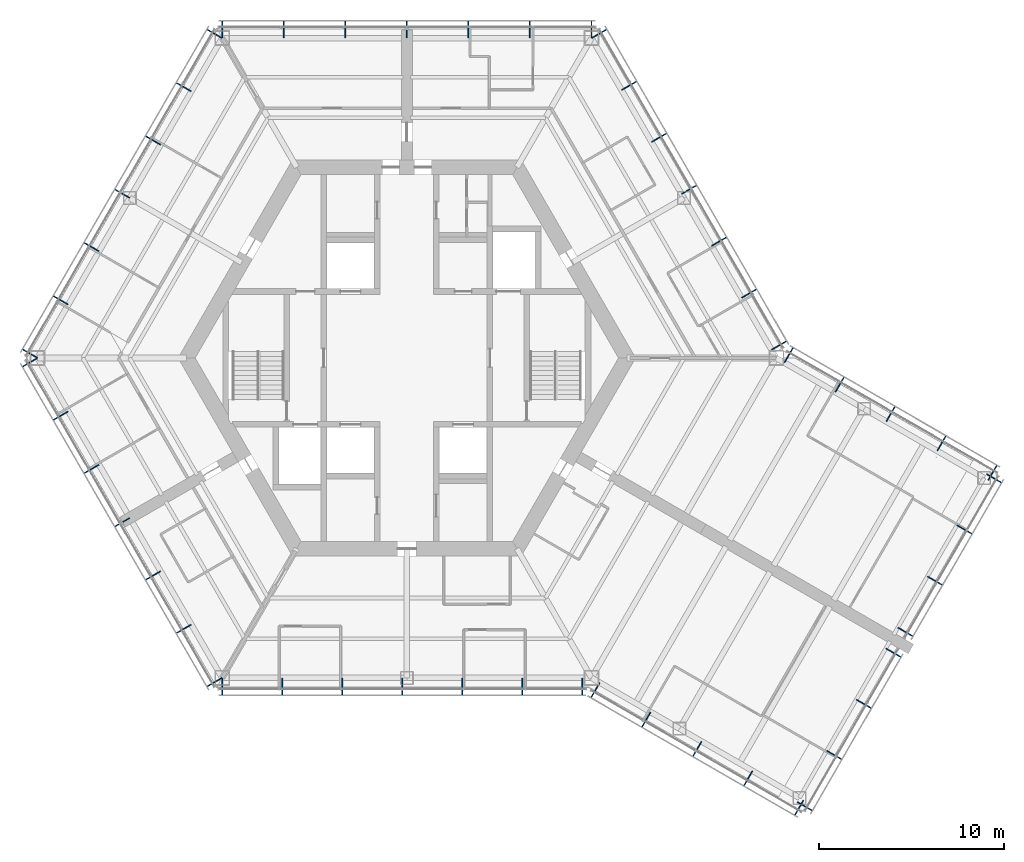
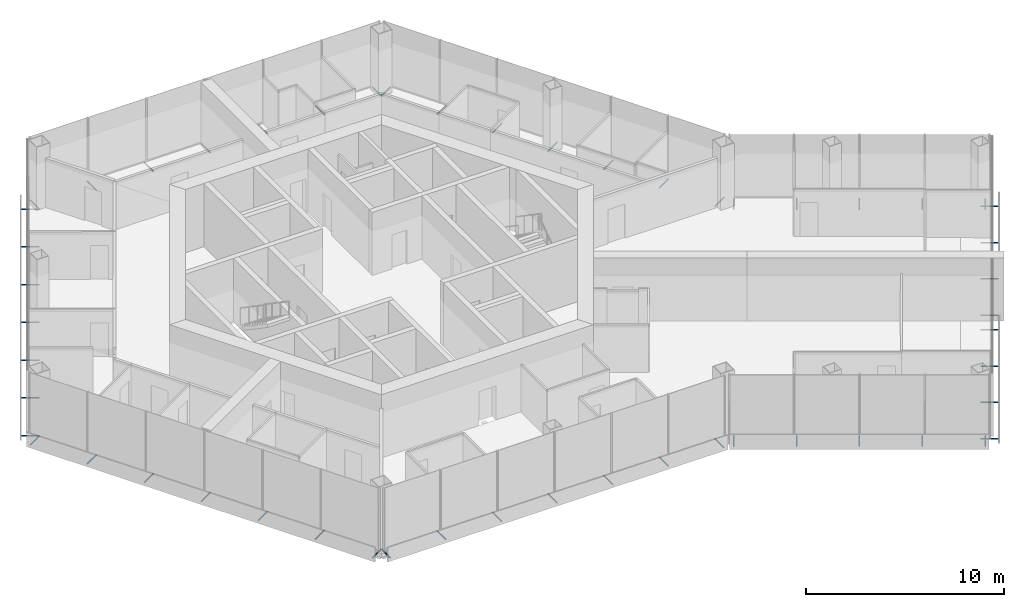
# One storey, part 15 of 17: 53 discrete accessories.
"""IFC4 building model written with IfcOpenShell, lengths in metres."""

from ifc_helpers import new_model, si_unit, direction, frame, origin, origin_2d, place, context, subcontext, project, spatial, hollow_circle, extrude, material, material_profile, profile_set, type_object, element, save


model = new_model("IFC4")

# Units and contexts
model_context = context("Model", 3, precision=1e-05, world=origin(), true_north=direction((0.0, 1.0)))
body_context = subcontext(model_context, "Body", "Model", "MODEL_VIEW")
ifc_project = project(units=[si_unit("LENGTHUNIT", "METRE"), si_unit("AREAUNIT", "SQUARE_METRE"), si_unit("VOLUMEUNIT", "CUBIC_METRE"), si_unit("PLANEANGLEUNIT", "RADIAN"), si_unit("MASSUNIT", "GRAM", prefix="KILO")], contexts=[model_context])

# Site, building, storey
site_placement = place(None, origin())
site = spatial("IfcSite", under=ifc_project, at=site_placement, CompositionType="ELEMENT")
building_placement = place(site_placement, origin())
building = spatial("IfcBuilding", under=site, at=building_placement, Name="Kasaneha Research Tower", CompositionType="ELEMENT")
storey_placement = place(building_placement, frame((0.0, 0.0, 224.5)))
storey = spatial("IfcBuildingStorey", under=building, at=storey_placement, Name="L56", CompositionType="ELEMENT", Elevation=224.5)

# Discrete accessories
ifc_material = material(Name="Steel STK400", Category="steel")
ifc_material_profile = material_profile(ifc_material, hollow_circle(Radius=0.0380859375, WallThickness=0.00390625, at=origin_2d()), Name="CHS-76.3x4.0")
ifc_profile_set = profile_set([ifc_material_profile], Name="Steel STK400")
discrete_accessory_type = type_object("IfcDiscreteAccessoryType", Name="Screen bracket CHS-76.3x4.0", PredefinedType="BRACKET", material=ifc_profile_set)
for number, where, z_axis, x_axis, name in (
    (1, (19.74462890625, 0.4423828125, -0.300048828125), (0.866013213425, 0.500021113727, 0.0), (-0.500021113727, 0.866013213425, 0.0), "Screen bracket 1"),
    (2, (18.120849609375, 3.2548828125, -0.300048828125), (0.866013213425, 0.500021113727, 0.0), (-0.500021113727, 0.866013213425, 0.0), "Screen bracket 2"),
    (3, (16.4970703125, 6.0673828125, -0.300048828125), (0.866013213425, 0.500021113727, 0.0), (-0.500021113727, 0.866013213425, 0.0), "Screen bracket 3"),
    (4, (14.873291015625, 8.8798828125, -0.300048828125), (0.866013213425, 0.500021113727, 0.0), (-0.500021113727, 0.866013213425, 0.0), "Screen bracket 4"),
    (5, (13.24951171875, 11.6923828125, -0.300048828125), (0.866013213425, 0.500021113727, 0.0), (-0.500021113727, 0.866013213425, 0.0), "Screen bracket 5"),
):
    element("IfcDiscreteAccessory", number, at=place(storey_placement, frame(where, z_axis=z_axis, x_axis=x_axis)), inside=storey, type_object=discrete_accessory_type, Name=name, PredefinedType="BRACKET", context=body_context, shape_type="SweptSolid", body=[
        extrude(hollow_circle(Radius=0.0380859375, WallThickness=0.00390625, at=origin_2d()), origin(), (0.0, 0.0, 1.0), 0.919921875),
    ])
for number, where, z_axis, x_axis, name in (
    (6, (11.62548828125, 14.5048828125, -0.300048828125), (0.866079547155, 0.499906209203, 0.0), (-0.499906209203, 0.866079547155, 0.0), "Screen bracket 6"),
    (7, (10.001708984375, 17.3173828125, -0.300048828125), (0.866079547155, 0.499906209203, 0.0), (-0.499906209203, 0.866079547155, 0.0), "Screen bracket 7"),
):
    element("IfcDiscreteAccessory", number, at=place(storey_placement, frame(where, z_axis=z_axis, x_axis=x_axis)), inside=storey, type_object=discrete_accessory_type, Name=name, PredefinedType="BRACKET", context=body_context, shape_type="SweptSolid", body=[
        extrude(hollow_circle(Radius=0.0380859375, WallThickness=0.00390625, at=origin_2d()), origin(), (0.0, 0.0, 1.0), 0.920166015625),
    ])
for number, where, z_axis, x_axis, name in (
    (8, (9.996337890625, 17.320556640625, -0.300048828125), (0.0, 1.0, 0.0), (-1.0, 0.0, 0.0), "Screen bracket 1"),
    (9, (6.664306640625, 17.320556640625, -0.300048828125), (0.0, 1.0, 0.0), (-1.0, 0.0, 0.0), "Screen bracket 2"),
    (10, (3.33203125, 17.320556640625, -0.300048828125), (0.0, 1.0, 0.0), (-1.0, 0.0, 0.0), "Screen bracket 3"),
    (11, (0.0, 17.320556640625, -0.300048828125), (0.0, 1.0, 0.0), (-1.0, 0.0, 0.0), "Screen bracket 4"),
    (12, (-3.33203125, 17.320556640625, -0.300048828125), (0.0, 1.0, 0.0), (-1.0, 0.0, 0.0), "Screen bracket 5"),
    (13, (-6.664306640625, 17.320556640625, -0.300048828125), (0.0, 1.0, 0.0), (-1.0, 0.0, 0.0), "Screen bracket 6"),
    (14, (-9.996337890625, 17.320556640625, -0.300048828125), (0.0, 1.0, 0.0), (-1.0, 0.0, 0.0), "Screen bracket 7"),
):
    element("IfcDiscreteAccessory", number, at=place(storey_placement, frame(where, z_axis=z_axis, x_axis=x_axis)), inside=storey, type_object=discrete_accessory_type, Name=name, PredefinedType="BRACKET", context=body_context, shape_type="SweptSolid", body=[
        extrude(hollow_circle(Radius=0.0380859375, WallThickness=0.00390625, at=origin_2d()), origin(), (0.0, 0.0, 1.0), 0.919921875),
    ])
discrete_accessory_1_placement = place(storey_placement, frame((-10.001708984375, 17.3173828125, -0.300048828125), z_axis=(-0.866079547155, 0.499906209203, 0.0), x_axis=(-0.499906209203, -0.866079547155, 0.0)))
element("IfcDiscreteAccessory", 15, at=discrete_accessory_1_placement, inside=storey, type_object=discrete_accessory_type, Name="Screen bracket 1", PredefinedType="BRACKET", context=body_context, shape_type="SweptSolid", body=[
    extrude(hollow_circle(Radius=0.0380859375, WallThickness=0.00390625, at=origin_2d()), origin(), (0.0, 0.0, 1.0), 0.920166015625),
])
for number, where, z_axis, x_axis, name in (
    (16, (-11.66796875, 14.431640625, -0.300048828125), (-0.866013213425, 0.500021113727, 0.0), (-0.500021113727, -0.866013213425, 0.0), "Screen bracket 2"),
    (17, (-13.333984375, 11.5458984375, -0.300048828125), (-0.866013213425, 0.500021113727, 0.0), (-0.500021113727, -0.866013213425, 0.0), "Screen bracket 3"),
    (18, (-15.0, 8.66015625, -0.300048828125), (-0.865898279276, 0.500220121494, 0.0), (-0.500220121494, -0.865898279276, 0.0), "Screen bracket 4"),
):
    element("IfcDiscreteAccessory", number, at=place(storey_placement, frame(where, z_axis=z_axis, x_axis=x_axis)), inside=storey, type_object=discrete_accessory_type, Name=name, PredefinedType="BRACKET", context=body_context, shape_type="SweptSolid", body=[
        extrude(hollow_circle(Radius=0.0380859375, WallThickness=0.00390625, at=origin_2d()), origin(), (0.0, 0.0, 1.0), 0.919921875),
    ])
for number, where, z_axis, x_axis, name in (
    (19, (-16.666015625, 5.774658203125, -0.300048828125), (-0.866079547155, 0.499906209203, 0.0), (-0.499906209203, -0.866079547155, 0.0), "Screen bracket 5"),
    (20, (-18.33203125, 2.888916015625, -0.300048828125), (-0.866079547155, 0.499906209203, 0.0), (-0.499906209203, -0.866079547155, 0.0), "Screen bracket 6"),
):
    element("IfcDiscreteAccessory", number, at=place(storey_placement, frame(where, z_axis=z_axis, x_axis=x_axis)), inside=storey, type_object=discrete_accessory_type, Name=name, PredefinedType="BRACKET", context=body_context, shape_type="SweptSolid", body=[
        extrude(hollow_circle(Radius=0.0380859375, WallThickness=0.00390625, at=origin_2d()), origin(), (0.0, 0.0, 1.0), 0.920166015625),
    ])
for number, where, z_axis, x_axis, name in (
    (21, (-19.998291015625, 0.003173828125, -0.300048828125), (-0.866013213425, 0.500021113727, 0.0), (-0.500021113727, -0.866013213425, 0.0), "Screen bracket 7"),
    (22, (-19.998291015625, -0.003173828125, -0.300048828125), (-0.866013213425, -0.500021113727, 0.0), (0.500021113727, -0.866013213425, 0.0), "Screen bracket 1"),
):
    element("IfcDiscreteAccessory", number, at=place(storey_placement, frame(where, z_axis=z_axis, x_axis=x_axis)), inside=storey, type_object=discrete_accessory_type, Name=name, PredefinedType="BRACKET", context=body_context, shape_type="SweptSolid", body=[
        extrude(hollow_circle(Radius=0.0380859375, WallThickness=0.00390625, at=origin_2d()), origin(), (0.0, 0.0, 1.0), 0.919921875),
    ])
for number, where, z_axis, x_axis, name in (
    (23, (-18.33203125, -2.888916015625, -0.300048828125), (-0.866079547155, -0.499906209203, 0.0), (0.499906209203, -0.866079547155, 0.0), "Screen bracket 2"),
    (24, (-16.666015625, -5.774658203125, -0.300048828125), (-0.866079547155, -0.499906209203, 0.0), (0.499906209203, -0.866079547155, 0.0), "Screen bracket 3"),
):
    element("IfcDiscreteAccessory", number, at=place(storey_placement, frame(where, z_axis=z_axis, x_axis=x_axis)), inside=storey, type_object=discrete_accessory_type, Name=name, PredefinedType="BRACKET", context=body_context, shape_type="SweptSolid", body=[
        extrude(hollow_circle(Radius=0.0380859375, WallThickness=0.00390625, at=origin_2d()), origin(), (0.0, 0.0, 1.0), 0.920166015625),
    ])
for number, where, z_axis, x_axis, name in (
    (25, (-15.0, -8.66015625, -0.300048828125), (-0.865898279276, -0.500220121494, 0.0), (0.500220121494, -0.865898279276, 0.0), "Screen bracket 4"),
    (26, (-13.333984375, -11.5458984375, -0.300048828125), (-0.866013213425, -0.500021113727, 0.0), (0.500021113727, -0.866013213425, 0.0), "Screen bracket 5"),
    (27, (-11.66796875, -14.431640625, -0.300048828125), (-0.866013213425, -0.500021113727, 0.0), (0.500021113727, -0.866013213425, 0.0), "Screen bracket 6"),
):
    element("IfcDiscreteAccessory", number, at=place(storey_placement, frame(where, z_axis=z_axis, x_axis=x_axis)), inside=storey, type_object=discrete_accessory_type, Name=name, PredefinedType="BRACKET", context=body_context, shape_type="SweptSolid", body=[
        extrude(hollow_circle(Radius=0.0380859375, WallThickness=0.00390625, at=origin_2d()), origin(), (0.0, 0.0, 1.0), 0.919921875),
    ])
discrete_accessory_2_placement = place(storey_placement, frame((-10.001708984375, -17.3173828125, -0.300048828125), z_axis=(-0.866079547155, -0.499906209203, 0.0), x_axis=(0.499906209203, -0.866079547155, 0.0)))
element("IfcDiscreteAccessory", 28, at=discrete_accessory_2_placement, inside=storey, type_object=discrete_accessory_type, Name="Screen bracket 7", PredefinedType="BRACKET", context=body_context, shape_type="SweptSolid", body=[
    extrude(hollow_circle(Radius=0.0380859375, WallThickness=0.00390625, at=origin_2d()), origin(), (0.0, 0.0, 1.0), 0.920166015625),
])
for number, where, z_axis, x_axis, name in (
    (29, (-9.996337890625, -17.320556640625, -0.300048828125), (0.0, -1.0, 0.0), (1.0, 0.0, 0.0), "Screen bracket 1"),
    (30, (-6.748779296875, -17.320556640625, -0.300048828125), (0.0, -1.0, 0.0), (1.0, 0.0, 0.0), "Screen bracket 2"),
    (31, (-3.501220703125, -17.320556640625, -0.300048828125), (0.0, -1.0, 0.0), (1.0, 0.0, 0.0), "Screen bracket 3"),
    (32, (-0.253662109375, -17.320556640625, -0.300048828125), (0.0, -1.0, 0.0), (1.0, 0.0, 0.0), "Screen bracket 4"),
    (33, (2.993896484375, -17.320556640625, -0.300048828125), (0.0, -1.0, 0.0), (1.0, 0.0, 0.0), "Screen bracket 5"),
    (34, (6.24169921875, -17.320556640625, -0.300048828125), (0.0, -1.0, 0.0), (1.0, 0.0, 0.0), "Screen bracket 6"),
    (35, (9.4892578125, -17.320556640625, -0.300048828125), (0.0, -1.0, 0.0), (1.0, 0.0, 0.0), "Screen bracket 7"),
    (36, (10.4423828125, -17.575927734375, -0.300048828125), (-0.500021113727, -0.866013213425, 0.0), (0.866013213425, -0.500021113727, 0.0), "Screen bracket 1"),
):
    element("IfcDiscreteAccessory", number, at=place(storey_placement, frame(where, z_axis=z_axis, x_axis=x_axis)), inside=storey, type_object=discrete_accessory_type, Name=name, PredefinedType="BRACKET", context=body_context, shape_type="SweptSolid", body=[
        extrude(hollow_circle(Radius=0.0380859375, WallThickness=0.00390625, at=origin_2d()), origin(), (0.0, 0.0, 1.0), 0.919921875),
    ])
discrete_accessory_3_placement = place(storey_placement, frame((13.200439453125, -19.168212890625, -0.300048828125), z_axis=(-0.499906209203, -0.866079547155, 0.0), x_axis=(0.866079547155, -0.499906209203, 0.0)))
element("IfcDiscreteAccessory", 37, at=discrete_accessory_3_placement, inside=storey, type_object=discrete_accessory_type, Name="Screen bracket 2", PredefinedType="BRACKET", context=body_context, shape_type="SweptSolid", body=[
    extrude(hollow_circle(Radius=0.0380859375, WallThickness=0.00390625, at=origin_2d()), origin(), (0.0, 0.0, 1.0), 0.920166015625),
])
discrete_accessory_4_placement = place(storey_placement, frame((15.95849609375, -20.7607421875, -0.300048828125), z_axis=(-0.500021113727, -0.866013213425, 0.0), x_axis=(0.866013213425, -0.500021113727, 0.0)))
element("IfcDiscreteAccessory", 38, at=discrete_accessory_4_placement, inside=storey, type_object=discrete_accessory_type, Name="Screen bracket 3", PredefinedType="BRACKET", context=body_context, shape_type="SweptSolid", body=[
    extrude(hollow_circle(Radius=0.0380859375, WallThickness=0.00390625, at=origin_2d()), origin(), (0.0, 0.0, 1.0), 0.919921875),
])
discrete_accessory_5_placement = place(storey_placement, frame((18.716796875, -22.35302734375, -0.300048828125), z_axis=(-0.500105201737, -0.865964657013, 0.0), x_axis=(0.865964657013, -0.500105201737, 0.0)))
element("IfcDiscreteAccessory", 39, at=discrete_accessory_5_placement, inside=storey, type_object=discrete_accessory_type, Name="Screen bracket 4", PredefinedType="BRACKET", context=body_context, shape_type="SweptSolid", body=[
    extrude(hollow_circle(Radius=0.0380859375, WallThickness=0.00390625, at=origin_2d()), origin(), (0.0, 0.0, 1.0), 0.920166015625),
])
discrete_accessory_6_placement = place(storey_placement, frame((21.474853515625, -23.945556640625, -0.300048828125), z_axis=(-0.500021113727, -0.866013213425, 0.0), x_axis=(0.866013213425, -0.500021113727, 0.0)))
element("IfcDiscreteAccessory", 40, at=discrete_accessory_6_placement, inside=storey, type_object=discrete_accessory_type, Name="Screen bracket 5", PredefinedType="BRACKET", context=body_context, shape_type="SweptSolid", body=[
    extrude(hollow_circle(Radius=0.0380859375, WallThickness=0.00390625, at=origin_2d()), origin(), (0.0, 0.0, 1.0), 0.919921875),
])
discrete_accessory_7_placement = place(storey_placement, frame((21.13330078125, -24.037109375, -0.300048828125), z_axis=(0.866079547155, -0.499906209203, 0.0), x_axis=(0.499906209203, 0.866079547155, 0.0)))
element("IfcDiscreteAccessory", 41, at=discrete_accessory_7_placement, inside=storey, type_object=discrete_accessory_type, Name="Screen bracket 1", PredefinedType="BRACKET", context=body_context, shape_type="SweptSolid", body=[
    extrude(hollow_circle(Radius=0.0380859375, WallThickness=0.00390625, at=origin_2d()), origin(), (0.0, 0.0, 1.0), 0.920166015625),
])
discrete_accessory_8_placement = place(storey_placement, frame((22.7333984375, -21.265625, -0.300048828125), z_axis=(0.865898279276, -0.500220121494, 0.0), x_axis=(0.500220121494, 0.865898279276, 0.0)))
element("IfcDiscreteAccessory", 42, at=discrete_accessory_8_placement, inside=storey, type_object=discrete_accessory_type, Name="Screen bracket 2", PredefinedType="BRACKET", context=body_context, shape_type="SweptSolid", body=[
    extrude(hollow_circle(Radius=0.0380859375, WallThickness=0.00390625, at=origin_2d()), origin(), (0.0, 0.0, 1.0), 0.919921875),
])
discrete_accessory_9_placement = place(storey_placement, frame((24.333251953125, -18.494384765625, -0.300048828125), z_axis=(0.866079547155, -0.499906209203, 0.0), x_axis=(0.499906209203, 0.866079547155, 0.0)))
element("IfcDiscreteAccessory", 43, at=discrete_accessory_9_placement, inside=storey, type_object=discrete_accessory_type, Name="Screen bracket 3", PredefinedType="BRACKET", context=body_context, shape_type="SweptSolid", body=[
    extrude(hollow_circle(Radius=0.0380859375, WallThickness=0.00390625, at=origin_2d()), origin(), (0.0, 0.0, 1.0), 0.920166015625),
])
discrete_accessory_10_placement = place(storey_placement, frame((25.933349609375, -15.72314453125, -0.300048828125), z_axis=(0.866013213425, -0.500021113727, 0.0), x_axis=(0.500021113727, 0.866013213425, 0.0)))
element("IfcDiscreteAccessory", 44, at=discrete_accessory_10_placement, inside=storey, type_object=discrete_accessory_type, Name="Screen bracket 4", PredefinedType="BRACKET", context=body_context, shape_type="SweptSolid", body=[
    extrude(hollow_circle(Radius=0.0380859375, WallThickness=0.00390625, at=origin_2d()), origin(), (0.0, 0.0, 1.0), 0.919921875),
])
discrete_accessory_11_placement = place(storey_placement, frame((26.583251953125, -14.597412109375, -0.300048828125), z_axis=(0.866079547155, -0.499906209203, 0.0), x_axis=(0.499906209203, 0.866079547155, 0.0)))
element("IfcDiscreteAccessory", 45, at=discrete_accessory_11_placement, inside=storey, type_object=discrete_accessory_type, Name="Screen bracket 1", PredefinedType="BRACKET", context=body_context, shape_type="SweptSolid", body=[
    extrude(hollow_circle(Radius=0.0380859375, WallThickness=0.00390625, at=origin_2d()), origin(), (0.0, 0.0, 1.0), 0.920166015625),
])
for number, where, z_axis, x_axis, name in (
    (46, (28.183349609375, -11.826171875, -0.300048828125), (0.866013213425, -0.500021113727, 0.0), (0.500021113727, 0.866013213425, 0.0), "Screen bracket 2"),
    (47, (29.783447265625, -9.0546875, -0.300048828125), (0.865898279276, -0.500220121494, 0.0), (0.500220121494, 0.865898279276, 0.0), "Screen bracket 3"),
):
    element("IfcDiscreteAccessory", number, at=place(storey_placement, frame(where, z_axis=z_axis, x_axis=x_axis)), inside=storey, type_object=discrete_accessory_type, Name=name, PredefinedType="BRACKET", context=body_context, shape_type="SweptSolid", body=[
        extrude(hollow_circle(Radius=0.0380859375, WallThickness=0.00390625, at=origin_2d()), origin(), (0.0, 0.0, 1.0), 0.919921875),
    ])
discrete_accessory_12_placement = place(storey_placement, frame((31.38330078125, -6.283447265625, -0.300048828125), z_axis=(0.866079547155, -0.499906209203, 0.0), x_axis=(0.499906209203, 0.866079547155, 0.0)))
element("IfcDiscreteAccessory", 48, at=discrete_accessory_12_placement, inside=storey, type_object=discrete_accessory_type, Name="Screen bracket 4", PredefinedType="BRACKET", context=body_context, shape_type="SweptSolid", body=[
    extrude(hollow_circle(Radius=0.0380859375, WallThickness=0.00390625, at=origin_2d()), origin(), (0.0, 0.0, 1.0), 0.920166015625),
])
discrete_accessory_13_placement = place(storey_placement, frame((31.474853515625, -6.625, -0.300048828125), z_axis=(0.500021113727, 0.866013213425, 0.0), x_axis=(-0.866013213425, 0.500021113727, 0.0)))
element("IfcDiscreteAccessory", 49, at=discrete_accessory_13_placement, inside=storey, type_object=discrete_accessory_type, Name="Screen bracket 1", PredefinedType="BRACKET", context=body_context, shape_type="SweptSolid", body=[
    extrude(hollow_circle(Radius=0.0380859375, WallThickness=0.00390625, at=origin_2d()), origin(), (0.0, 0.0, 1.0), 0.919921875),
])
discrete_accessory_14_placement = place(storey_placement, frame((28.716796875, -5.03271484375, -0.300048828125), z_axis=(0.499906209203, 0.866079547155, 0.0), x_axis=(-0.866079547155, 0.499906209203, 0.0)))
element("IfcDiscreteAccessory", 50, at=discrete_accessory_14_placement, inside=storey, type_object=discrete_accessory_type, Name="Screen bracket 2", PredefinedType="BRACKET", context=body_context, shape_type="SweptSolid", body=[
    extrude(hollow_circle(Radius=0.0380859375, WallThickness=0.00390625, at=origin_2d()), origin(), (0.0, 0.0, 1.0), 0.920166015625),
])
discrete_accessory_15_placement = place(storey_placement, frame((25.95849609375, -3.440185546875, -0.300048828125), z_axis=(0.500220121494, 0.865898279276, 0.0), x_axis=(-0.865898279276, 0.500220121494, 0.0)))
element("IfcDiscreteAccessory", 51, at=discrete_accessory_15_placement, inside=storey, type_object=discrete_accessory_type, Name="Screen bracket 3", PredefinedType="BRACKET", context=body_context, shape_type="SweptSolid", body=[
    extrude(hollow_circle(Radius=0.0380859375, WallThickness=0.00390625, at=origin_2d()), origin(), (0.0, 0.0, 1.0), 0.919921875),
])
discrete_accessory_16_placement = place(storey_placement, frame((23.200439453125, -1.847900390625, -0.300048828125), z_axis=(0.499906209203, 0.866079547155, 0.0), x_axis=(-0.866079547155, 0.499906209203, 0.0)))
element("IfcDiscreteAccessory", 52, at=discrete_accessory_16_placement, inside=storey, type_object=discrete_accessory_type, Name="Screen bracket 4", PredefinedType="BRACKET", context=body_context, shape_type="SweptSolid", body=[
    extrude(hollow_circle(Radius=0.0380859375, WallThickness=0.00390625, at=origin_2d()), origin(), (0.0, 0.0, 1.0), 0.920166015625),
])
discrete_accessory_17_placement = place(storey_placement, frame((20.4423828125, -0.25537109375, -0.300048828125), z_axis=(0.500021113727, 0.866013213425, 0.0), x_axis=(-0.866013213425, 0.500021113727, 0.0)))
element("IfcDiscreteAccessory", 53, at=discrete_accessory_17_placement, inside=storey, type_object=discrete_accessory_type, Name="Screen bracket 5", PredefinedType="BRACKET", context=body_context, shape_type="SweptSolid", body=[
    extrude(hollow_circle(Radius=0.0380859375, WallThickness=0.00390625, at=origin_2d()), origin(), (0.0, 0.0, 1.0), 0.919921875),
])

save(model, "model.ifc")
